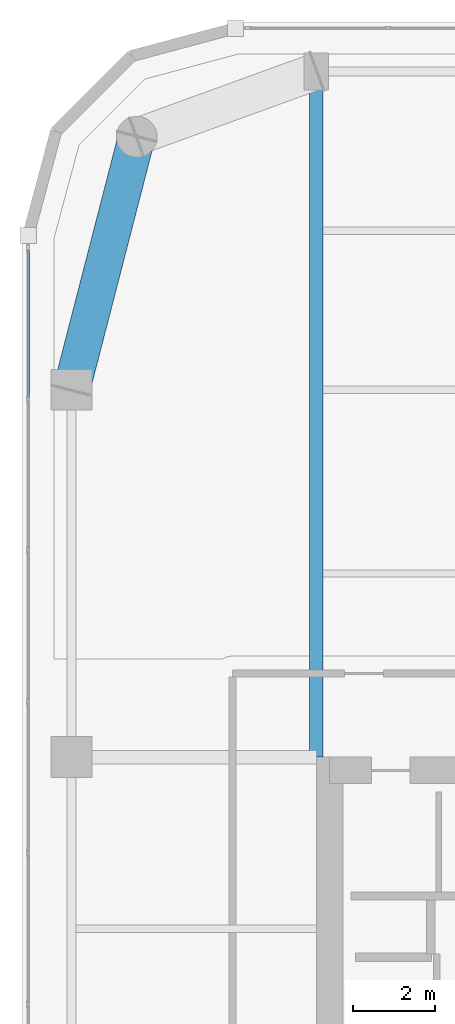
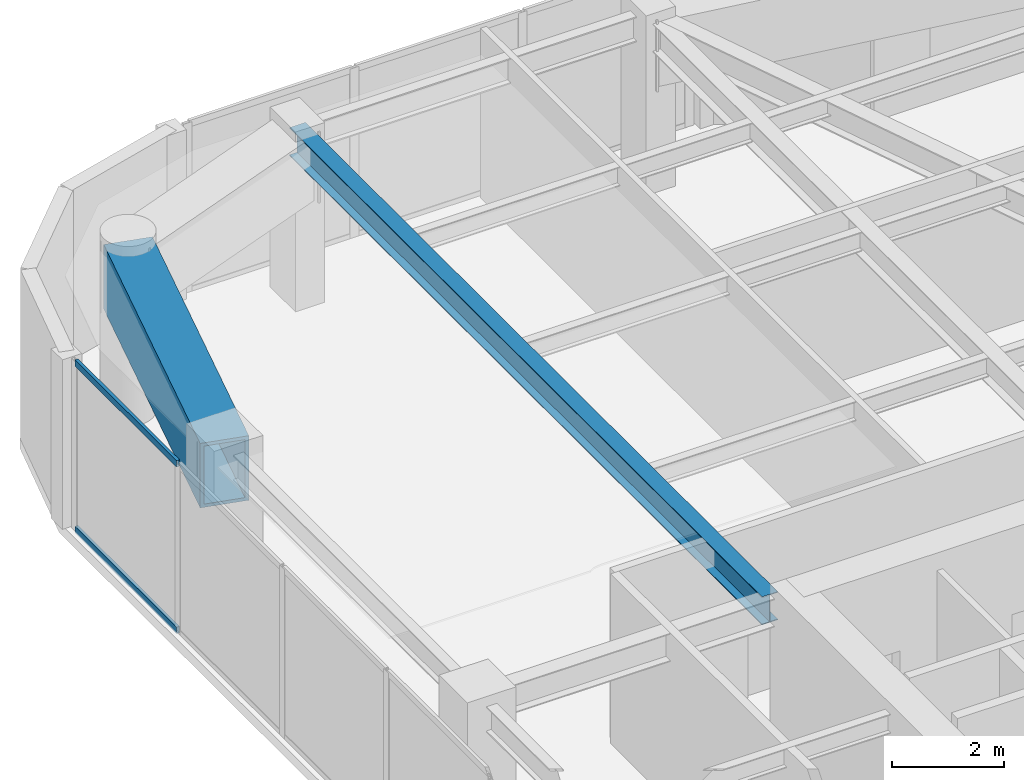
# One storey, part 7 of 21: 2 beams, 2 members, 1 element without a shape of its own.
"""IFC4 building model written with IfcOpenShell, lengths in metres."""

from ifc_helpers import new_model, si_unit, direction, frame, origin, origin_2d, place, context, subcontext, project, spatial, hollow_rectangle, i_section, extrude, material, layer, layer_set, material_profile, profile_set, type_object, element, aggregate, save


model = new_model("IFC4")

# Units and contexts
model_context = context("Model", 3, precision=1e-05, world=origin(), true_north=direction((0.0, 1.0)))
body_context = subcontext(model_context, "Body", "Model", "MODEL_VIEW")
ifc_project = project(units=[si_unit("LENGTHUNIT", "METRE"), si_unit("AREAUNIT", "SQUARE_METRE"), si_unit("VOLUMEUNIT", "CUBIC_METRE"), si_unit("PLANEANGLEUNIT", "RADIAN"), si_unit("MASSUNIT", "GRAM", prefix="KILO")], contexts=[model_context])

# Site, building, storey
site_placement = place(None, origin())
site = spatial("IfcSite", under=ifc_project, at=site_placement, CompositionType="ELEMENT")
building_placement = place(site_placement, origin())
building = spatial("IfcBuilding", under=site, at=building_placement, Name="Kiyonajd Concourse Tower", CompositionType="ELEMENT")
storey_placement = place(building_placement, frame((0.0, 0.0, 234.89990234375)))
storey = spatial("IfcBuildingStorey", under=building, at=storey_placement, Name="L59", CompositionType="ELEMENT", Elevation=234.89990234375)

# Beams
ifc_material_1 = material(Name="Steel ASTM A992 Grade 50", Category="steel")
ifc_material_profile_1 = material_profile(ifc_material_1, i_section(OverallWidth=0.323974609375, OverallDepth=0.611083984375, WebThickness=0.0126953125, FlangeThickness=0.01904296875, at=origin_2d()), Name="W610X155")
ifc_profile_set_1 = profile_set([ifc_material_profile_1], Name="Steel ASTM A992 Grade 50")
beam_type_1 = type_object("IfcBeamType", Name="BM-TWR-610B", PredefinedType="BEAM", material=ifc_profile_set_1)
beam_1_placement = place(storey_placement, frame((32.39990234375, 44.39990234375, 3.37451171875), z_axis=(0.0, 1.0, 0.0), x_axis=(-1.0, 0.0, 0.0)))
element("IfcBeam", 1, at=beam_1_placement, inside=storey, type_object=beam_type_1, Name="L59 North Lease Girder", PredefinedType="BEAM", context=body_context, shape_type="SweptSolid", body=[
    extrude(i_section(OverallWidth=0.323974609375, OverallDepth=0.611083984375, WebThickness=0.0126953125, FlangeThickness=0.01904296875, at=origin_2d()), origin(), (0.0, 0.0, 1.0), 16.800048828125),
])
ifc_material_2 = material(Name="Steel ASTM A572 Grade 50", Category="steel")
ifc_material_profile_2 = material_profile(ifc_material_2, hollow_rectangle(XDim=0.89990234375, YDim=1.39990234375, WallThickness=0.070068359375, at=origin_2d()), Name="BOX-1400x900x70")
ifc_profile_set_2 = profile_set([ifc_material_profile_2], Name="Steel ASTM A572 Grade 50")
beam_type_2 = type_object("IfcBeamType", Name="BM-XFER-1400", PredefinedType="BEAM", material=ifc_profile_set_2)
beam_2_placement = place(storey_placement, frame((28.0, 59.60009765625, 2.97998046875), z_axis=(-0.249884937687, -0.968275538221, 0.0), x_axis=(0.968275538221, -0.249884937687, 0.0)))
element("IfcBeam", 2, at=beam_2_placement, inside=storey, type_object=beam_type_2, Name="L59 Perimeter Bundled Tube Spandrel", PredefinedType="BEAM", context=body_context, shape_type="SweptSolid", body=[
    extrude(hollow_rectangle(XDim=0.89990234375, YDim=1.39990234375, WallThickness=0.070068359375, at=origin_2d()), origin(), (0.0, 0.0, 1.0), 6.4033203125),
])

# Curtain wall, members
ifc_material_3 = material(Name="Thermally Broken Anodised Aluminium", Category="aluminium")
ifc_layer = layer(ifc_material_3, 0.179931640625)
ifc_layer_set = layer_set([ifc_layer], Name="Thermally Broken Anodised Aluminium")
curtain_wall_type = type_object("IfcCurtainWallType", Name="CW-SYS-04", PredefinedType="NOTDEFINED", material=ifc_layer_set)
curtain_wall_placement = place(storey_placement, origin())
curtain_wall = element("IfcCurtainWall", 3, at=curtain_wall_placement, inside=storey, type_object=curtain_wall_type, Name="L59 Unitised Curtain Wall CW4", PredefinedType="NOTDEFINED")
ifc_material_profile_3 = material_profile(ifc_material_3, hollow_rectangle(XDim=0.06494140625, YDim=0.139892578125, WallThickness=0.00390625, at=origin_2d()), Name="TRAN-65x140")
ifc_profile_set_3 = profile_set([ifc_material_profile_3], Name="Thermally Broken Anodised Aluminium")
member_type = type_object("IfcMemberType", Name="MB-CW-TRAN1", PredefinedType="USERDEFINED", material=ifc_profile_set_3)
member_1_placement = place(storey_placement, frame((25.340087890625, 53.2138671875, 0.03271484375), z_axis=(0.0, 1.0, 0.0), x_axis=(-1.0, 0.0, 0.0)))
member_1 = element("IfcMember", 4, at=member_1_placement, type_object=member_type, Name="CW4 transom 6.1", ObjectType="TRANSOM", PredefinedType="USERDEFINED", context=body_context, shape_type="SweptSolid", body=[
    extrude(hollow_rectangle(XDim=0.06494140625, YDim=0.139892578125, WallThickness=0.00390625, at=origin_2d()), origin(), (0.0, 0.0, 1.0), 3.61279296875),
])
member_2_placement = place(storey_placement, frame((25.340087890625, 53.2138671875, 3.647705078125), z_axis=(0.0, 1.0, 0.0), x_axis=(-1.0, 0.0, 0.0)))
member_2 = element("IfcMember", 5, at=member_2_placement, type_object=member_type, Name="CW4 transom 6.2", ObjectType="TRANSOM", PredefinedType="USERDEFINED", context=body_context, shape_type="SweptSolid", body=[
    extrude(hollow_rectangle(XDim=0.06494140625, YDim=0.139892578125, WallThickness=0.00390625, at=origin_2d()), origin(), (0.0, 0.0, 1.0), 3.61279296875),
])
aggregate(curtain_wall, [member_1, member_2])

save(model, "model.ifc")
